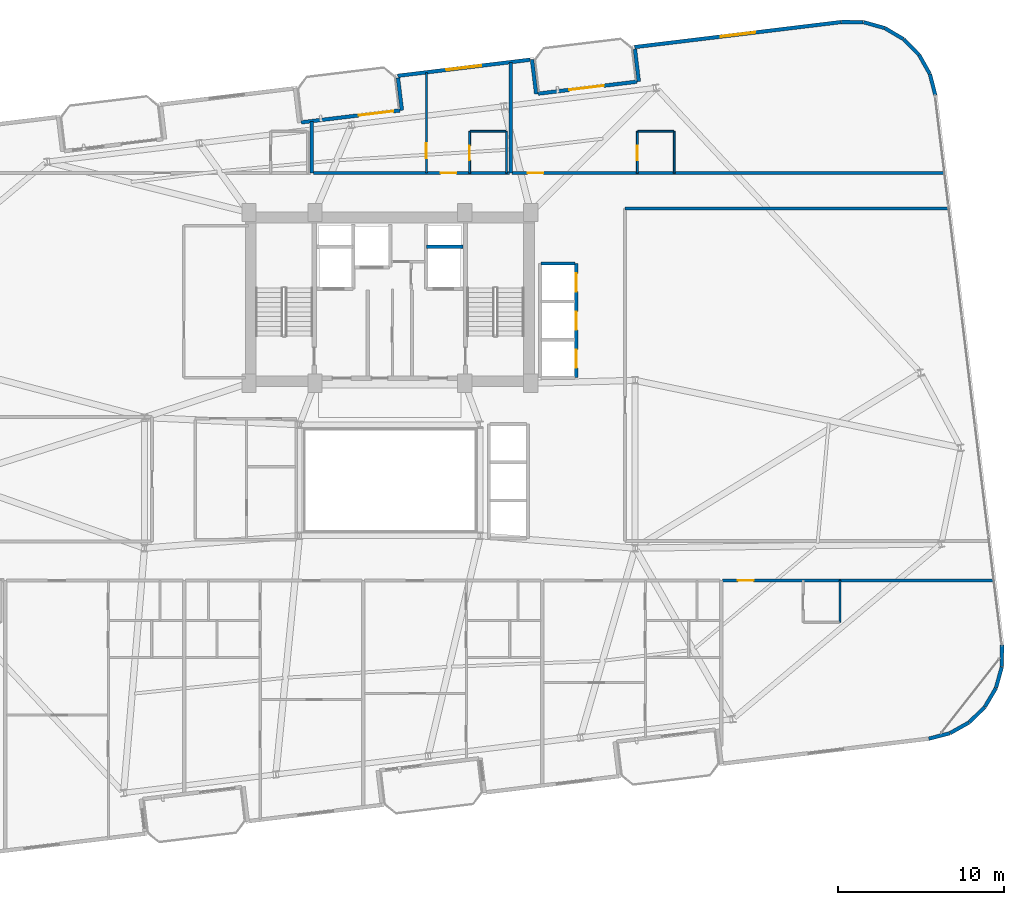
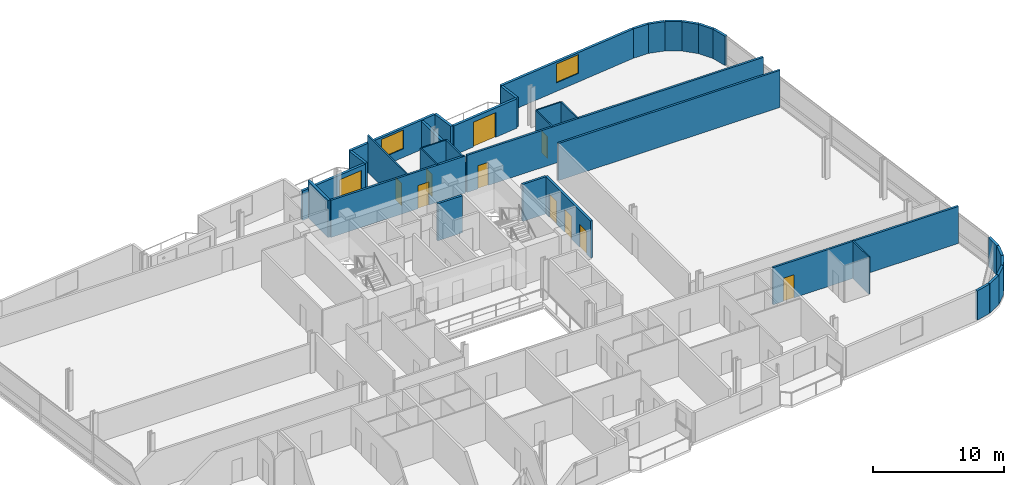
# One storey, part 19 of 24: 36 walls, 11 doors, 2 windows, 13 openings.
"""IFC4 building model written with IfcOpenShell, lengths in metres."""

from ifc_helpers import new_model, si_unit, direction, frame, frame_2d, origin, place, context, subcontext, project, spatial, rectangle, extrude, material, layer, layer_set, type_object, element, fill, save


model = new_model("IFC4")

# Units and contexts
model_context = context("Model", 3, precision=1e-05, world=origin(), true_north=direction((0.0, 1.0)))
body_context = subcontext(model_context, "Body", "Model", "MODEL_VIEW")
ifc_project = project(units=[si_unit("LENGTHUNIT", "METRE"), si_unit("AREAUNIT", "SQUARE_METRE"), si_unit("VOLUMEUNIT", "CUBIC_METRE"), si_unit("PLANEANGLEUNIT", "RADIAN"), si_unit("MASSUNIT", "GRAM", prefix="KILO")], contexts=[model_context])

# Site, building, storey
site_placement = place(None, origin())
site = spatial("IfcSite", under=ifc_project, at=site_placement, CompositionType="ELEMENT")
building_placement = place(site_placement, origin())
building = spatial("IfcBuilding", under=site, at=building_placement, Name="Varnelok Gate Tower", CompositionType="ELEMENT")
storey_placement = place(building_placement, frame((0.0, 0.0, 167.199951171875)))
storey = spatial("IfcBuildingStorey", under=building, at=storey_placement, Name="L42", CompositionType="ELEMENT", Elevation=167.199951171875)

# Wall, opening, door
ifc_material_1 = material(Name="Concrete C45/55", Category="concrete")
ifc_layer_1 = layer(ifc_material_1, 0.219970703125)
ifc_layer_set_1 = layer_set([ifc_layer_1], Name="Concrete C45/55")
wall_type_1 = type_object("IfcWallType", Name="EW-BALC-220", PredefinedType="SOLIDWALL", material=ifc_layer_set_1)
wall_1_placement = place(storey_placement, frame((33.852294921875, 44.48583984375, 0.0), z_axis=(0.0, 0.0, 1.0), x_axis=(0.992729951822, 0.120362962556, 0.0)))
wall_1 = element("IfcWall", 1, at=wall_1_placement, inside=storey, type_object=wall_type_1, Name="L42 North Terrace Envelope Wall 5", PredefinedType="SOLIDWALL", context=body_context, shape_type="SweptSolid", body=[
    extrude(rectangle(XDim=6.0, YDim=0.219970703125, at=frame_2d((3.0, 0.0))), origin(), (0.0, 0.0, 1.0), 2.72998046875),
])
opening_1_placement = place(wall_1_placement, frame((3.5, 0.0, 0.0)))
opening_1 = element("IfcOpeningElement", 2, at=opening_1_placement, cuts=wall_1, Name="Opening BD-2", PredefinedType="OPENING", context=body_context, shape_type="SweptSolid", body=[
    extrude(rectangle(XDim=2.10009765625, YDim=2.300048828125, at=frame_2d((1.050048828125, 1.14990234375))), frame((0.0, 0.119873046875, 0.0), z_axis=(0.0, -1.0, 0.0), x_axis=(1.0, 0.0, 0.0)), (0.0, 0.0, 1.0), 0.239990234375),
])
ifc_material_2 = material(Name="Anodized Aluminum Alloy 6063-T6", Category="aluminium")
door_type_1 = type_object("IfcDoorType", Name="DR-EXT-SLID2100", OperationType="SLIDING_TO_LEFT", PredefinedType="DOOR", material=ifc_material_2)
door_1_placement = place(opening_1_placement, origin())
door_1 = element("IfcDoor", 3, at=door_1_placement, inside=storey, type_object=door_type_1, Name="L42 North Balcony Glazed Door 5", OperationType="SLIDING_TO_LEFT", OverallHeight=2.300048828125, OverallWidth=2.10009765625, PredefinedType="DOOR", context=body_context, shape_type="SweptSolid", body=[
    extrude(rectangle(XDim=2.10009765625, YDim=2.300048828125, at=frame_2d((1.050048828125, 1.14990234375))), frame((0.0, 0.02490234375, 0.0), z_axis=(0.0, -1.0, 0.0), x_axis=(1.0, 0.0, 0.0)), (0.0, 0.0, 1.0), 0.050048828125),
])
fill(opening_1, door_1)

wall_2_placement = place(storey_placement, frame((48.147705078125, 46.21875, 0.0), z_axis=(0.0, 0.0, 1.0), x_axis=(0.992729951822, 0.120362962556, 0.0)))
wall_2 = element("IfcWall", 4, at=wall_2_placement, inside=storey, type_object=wall_type_1, Name="L42 North Terrace Envelope Wall 6", PredefinedType="SOLIDWALL", context=body_context, shape_type="SweptSolid", body=[
    extrude(rectangle(XDim=6.0, YDim=0.219970703125, at=frame_2d((3.0, 0.0))), origin(), (0.0, 0.0, 1.0), 2.72998046875),
])
opening_2_placement = place(wall_2_placement, frame((1.887939453125, 0.0, 0.0)))
opening_2 = element("IfcOpeningElement", 5, at=opening_2_placement, cuts=wall_2, Name="Opening BD-2", PredefinedType="OPENING", context=body_context, shape_type="SweptSolid", body=[
    extrude(rectangle(XDim=2.10009765625, YDim=2.300048828125, at=frame_2d((1.050048828125, 1.14990234375))), frame((0.0, 0.119873046875, 0.0), z_axis=(0.0, -1.0, 0.0), x_axis=(1.0, 0.0, 0.0)), (0.0, 0.0, 1.0), 0.239990234375),
])
door_2_placement = place(opening_2_placement, origin())
door_2 = element("IfcDoor", 6, at=door_2_placement, inside=storey, type_object=door_type_1, Name="L42 North Balcony Glazed Door 6", OperationType="SLIDING_TO_LEFT", OverallHeight=2.300048828125, OverallWidth=2.10009765625, PredefinedType="DOOR", context=body_context, shape_type="SweptSolid", body=[
    extrude(rectangle(XDim=2.10009765625, YDim=2.300048828125, at=frame_2d((1.050048828125, 1.14990234375))), frame((0.0, 0.02490234375, 0.0), z_axis=(0.0, -1.0, 0.0), x_axis=(1.0, 0.0, 0.0)), (0.0, 0.0, 1.0), 0.050048828125),
])
fill(opening_2, door_2)

# Walls
wall_3_placement = place(storey_placement, frame((71.71875, 7.305908203125, 0.0), z_axis=(0.0, 0.0, 1.0), x_axis=(0.968541764193, 0.248851061909, 0.0)))
element("IfcWall", 7, at=wall_3_placement, inside=storey, type_object=wall_type_1, Name="L42 Perimeter Facade Closure Wall 17", PredefinedType="SOLIDWALL", context=body_context, shape_type="SweptSolid", body=[
    extrude(rectangle(XDim=1.308837890625, YDim=0.219970703125, at=frame_2d((0.654296875, 0.0))), origin(), (0.0, 0.0, 1.0), 2.72998046875),
])
for number, where, z_axis, x_axis, name in (
    (8, (73.00830078125, 7.64404296875, 0.0), (0.0, 0.0, 1.0), (0.87105877335, 0.491178799797, 0.0), "L42 Perimeter Facade Closure Wall 18"),
    (9, (74.1591796875, 8.30029296875, 0.0), (0.0, 0.0, 1.0), (0.714295394827, 0.699844331926, 0.0), "L42 Perimeter Facade Closure Wall 19"),
    (10, (75.101318359375, 9.232177734375, 0.0), (0.0, 0.0, 1.0), (0.508798863936, 0.860885425627, 0.0), "L42 Perimeter Facade Closure Wall 20"),
    (11, (75.77001953125, 10.376220703125, 0.0), (0.0, 0.0, 1.0), (0.26859243053, 0.963253915778, 0.0), "L42 Perimeter Facade Closure Wall 21"),
):
    element("IfcWall", number, at=place(storey_placement, frame(where, z_axis=z_axis, x_axis=x_axis)), inside=storey, type_object=wall_type_1, Name=name, PredefinedType="SOLIDWALL", context=body_context, shape_type="SweptSolid", body=[
        extrude(rectangle(XDim=1.30078125, YDim=0.219970703125, at=frame_2d((0.650390625, 0.0))), origin(), (0.0, 0.0, 1.0), 2.72998046875),
    ])
wall_4_placement = place(storey_placement, frame((76.11962890625, 11.654052734375, 0.0), z_axis=(0.0, 0.0, 1.0), x_axis=(0.01032033607, 0.999946743914, 0.0)))
element("IfcWall", 12, at=wall_4_placement, inside=storey, type_object=wall_type_1, Name="L42 Perimeter Facade Closure Wall 22", PredefinedType="SOLIDWALL", context=body_context, shape_type="SweptSolid", body=[
    extrude(rectangle(XDim=1.301025390625, YDim=0.219970703125, at=frame_2d((0.650390625, 0.0))), origin(), (0.0, 0.0, 1.0), 2.72998046875),
])
wall_5_placement = place(storey_placement, frame((72.113525390625, 46.1123046875, 0.0), z_axis=(0.0, 0.0, 1.0), x_axis=(-0.248942347653, 0.968518305219, 0.0)))
element("IfcWall", 13, at=wall_5_placement, inside=storey, type_object=wall_type_1, Name="L42 Perimeter Facade Closure Wall 23", PredefinedType="SOLIDWALL", context=body_context, shape_type="SweptSolid", body=[
    extrude(rectangle(XDim=1.325927734375, YDim=0.219970703125, at=frame_2d((0.6630859375, 0.0))), origin(), (0.0, 0.0, 1.0), 2.72998046875),
])
wall_6_placement = place(storey_placement, frame((71.771240234375, 47.418212890625, 0.0), z_axis=(0.0, 0.0, 1.0), x_axis=(-0.491098509465, 0.871104043155, 0.0)))
element("IfcWall", 14, at=wall_6_placement, inside=storey, type_object=wall_type_1, Name="L42 Perimeter Facade Closure Wall 24", PredefinedType="SOLIDWALL", context=body_context, shape_type="SweptSolid", body=[
    extrude(rectangle(XDim=1.301025390625, YDim=0.219970703125, at=frame_2d((0.650390625, 0.0))), origin(), (0.0, 0.0, 1.0), 2.72998046875),
])
wall_7_placement = place(storey_placement, frame((71.114990234375, 48.5693359375, 0.0), z_axis=(0.0, 0.0, 1.0), x_axis=(-0.699844331926, 0.714295394827, 0.0)))
element("IfcWall", 15, at=wall_7_placement, inside=storey, type_object=wall_type_1, Name="L42 Perimeter Facade Closure Wall 25", PredefinedType="SOLIDWALL", context=body_context, shape_type="SweptSolid", body=[
    extrude(rectangle(XDim=1.30078125, YDim=0.219970703125, at=frame_2d((0.650390625, 0.0))), origin(), (0.0, 0.0, 1.0), 2.72998046875),
])
wall_8_placement = place(storey_placement, frame((70.18310546875, 49.51123046875, 0.0), z_axis=(0.0, 0.0, 1.0), x_axis=(-0.860933999601, 0.508716668029, 0.0)))
element("IfcWall", 16, at=wall_8_placement, inside=storey, type_object=wall_type_1, Name="L42 Perimeter Facade Closure Wall 26", PredefinedType="SOLIDWALL", context=body_context, shape_type="SweptSolid", body=[
    extrude(rectangle(XDim=1.301025390625, YDim=0.219970703125, at=frame_2d((0.650390625, 0.0))), origin(), (0.0, 0.0, 1.0), 2.72998046875),
])
wall_9_placement = place(storey_placement, frame((69.0390625, 50.179931640625, 0.0), z_axis=(0.0, 0.0, 1.0), x_axis=(-0.963205341366, 0.26876657226, 0.0)))
element("IfcWall", 17, at=wall_9_placement, inside=storey, type_object=wall_type_1, Name="L42 Perimeter Facade Closure Wall 27", PredefinedType="SOLIDWALL", context=body_context, shape_type="SweptSolid", body=[
    extrude(rectangle(XDim=1.30078125, YDim=0.219970703125, at=frame_2d((0.650390625, 0.0))), origin(), (0.0, 0.0, 1.0), 2.72998046875),
])
wall_10_placement = place(storey_placement, frame((67.760986328125, 50.52978515625, 0.0), z_axis=(0.0, 0.0, 1.0), x_axis=(-0.999947358106, 0.010260653861, 0.0)))
element("IfcWall", 18, at=wall_10_placement, inside=storey, type_object=wall_type_1, Name="L42 Perimeter Facade Closure Wall 28", PredefinedType="SOLIDWALL", context=body_context, shape_type="SweptSolid", body=[
    extrude(rectangle(XDim=1.30859375, YDim=0.219970703125, at=frame_2d((0.654296875, 0.0))), origin(), (0.0, 0.0, 1.0), 2.72998046875),
])

# Wall, opening, window
wall_11_placement = place(storey_placement, frame((66.427490234375, 50.5400390625, 0.0), z_axis=(0.0, 0.0, 1.0), x_axis=(-0.992731739233, -0.120348219431, 0.0)))
wall_11 = element("IfcWall", 19, at=wall_11_placement, inside=storey, type_object=wall_type_1, Name="L42 Perimeter Facade Closure Wall 29", PredefinedType="SOLIDWALL", context=body_context, shape_type="SweptSolid", body=[
    extrude(rectangle(XDim=12.547119140625, YDim=0.219970703125, at=frame_2d((6.2734375, 0.0))), origin(), (0.0, 0.0, 1.0), 2.72998046875),
])
opening_3_placement = place(wall_11_placement, frame((5.2236328125, 0.0, 0.800048828125)))
opening_3 = element("IfcOpeningElement", 20, at=opening_3_placement, cuts=wall_11, Name="Opening WN4", PredefinedType="OPENING", context=body_context, shape_type="SweptSolid", body=[
    extrude(rectangle(XDim=2.10009765625, YDim=1.75, at=frame_2d((1.050048828125, 0.875))), frame((0.0, 0.119873046875, 0.0), z_axis=(0.0, -1.0, 0.0), x_axis=(1.0, 0.0, 0.0)), (0.0, 0.0, 1.0), 0.239990234375),
])
ifc_material_3 = material(Name="Low-E Laminated Double Glazing IGU", Category="glass")
window_type = type_object("IfcWindowType", Name="WN-SUI-2100", PartitioningType="SINGLE_PANEL", PredefinedType="WINDOW", material=ifc_material_3)
window_1_placement = place(opening_3_placement, origin())
window_1 = element("IfcWindow", 21, at=window_1_placement, inside=storey, type_object=window_type, Name="L42 Perimeter Vision Window 29", OverallHeight=1.75, OverallWidth=2.10009765625, PartitioningType="SINGLE_PANEL", PredefinedType="WINDOW", context=body_context, shape_type="SweptSolid", body=[
    extrude(rectangle(XDim=2.10009765625, YDim=1.75, at=frame_2d((1.050048828125, 0.875))), frame((0.0, 0.030029296875, 0.0), z_axis=(0.0, -1.0, 0.0), x_axis=(1.0, 0.0, 0.0)), (0.0, 0.0, 1.0), 0.06005859375),
])
fill(opening_3, window_1)

# Walls
wall_12_placement = place(storey_placement, frame((53.986572265625, 48.906005859375, 0.0), z_axis=(0.0, 0.0, 1.0), x_axis=(0.120397815541, -0.992725725472, 0.0)))
element("IfcWall", 22, at=wall_12_placement, inside=storey, type_object=wall_type_1, Name="L42 Perimeter Facade Closure Wall 30", PredefinedType="SOLIDWALL", context=body_context, shape_type="SweptSolid", body=[
    extrude(rectangle(XDim=1.97509765625, YDim=0.219970703125, at=frame_2d((0.987548828125, 0.0))), origin(), (0.0, 0.0, 1.0), 2.72998046875),
])
wall_13_placement = place(storey_placement, frame((48.029541015625, 46.1943359375, 0.0), z_axis=(0.0, 0.0, 1.0), x_axis=(-0.120314009587, 0.992735885871, 0.0)))
element("IfcWall", 23, at=wall_13_placement, inside=storey, type_object=wall_type_1, Name="L42 Perimeter Facade Closure Wall 31", PredefinedType="SOLIDWALL", context=body_context, shape_type="SweptSolid", body=[
    extrude(rectangle(XDim=2.10009765625, YDim=0.219970703125, at=frame_2d((1.050048828125, 0.0))), origin(), (0.0, 0.0, 1.0), 2.72998046875),
])

# Wall, opening, window
wall_14_placement = place(storey_placement, frame((47.65283203125, 48.26416015625, 0.0), z_axis=(0.0, 0.0, 1.0), x_axis=(-0.992731032022, -0.120354052946, 0.0)))
wall_14 = element("IfcWall", 24, at=wall_14_placement, inside=storey, type_object=wall_type_1, Name="L42 Perimeter Facade Closure Wall 32", PredefinedType="SOLIDWALL", context=body_context, shape_type="SweptSolid", body=[
    extrude(rectangle(XDim=8.034912109375, YDim=0.219970703125, at=frame_2d((4.017578125, 0.0))), origin(), (0.0, 0.0, 1.0), 2.72998046875),
])
opening_4_placement = place(wall_14_placement, frame((2.967529296875, 0.0, 0.800048828125)))
opening_4 = element("IfcOpeningElement", 25, at=opening_4_placement, cuts=wall_14, Name="Opening WN4", PredefinedType="OPENING", context=body_context, shape_type="SweptSolid", body=[
    extrude(rectangle(XDim=2.10009765625, YDim=1.75, at=frame_2d((1.050048828125, 0.875))), frame((0.0, 0.119873046875, 0.0), z_axis=(0.0, -1.0, 0.0), x_axis=(1.0, 0.0, 0.0)), (0.0, 0.0, 1.0), 0.239990234375),
])
window_2_placement = place(opening_4_placement, origin())
window_2 = element("IfcWindow", 26, at=window_2_placement, inside=storey, type_object=window_type, Name="L42 Perimeter Vision Window 32", OverallHeight=1.75, OverallWidth=2.10009765625, PartitioningType="SINGLE_PANEL", PredefinedType="WINDOW", context=body_context, shape_type="SweptSolid", body=[
    extrude(rectangle(XDim=2.10009765625, YDim=1.75, at=frame_2d((1.050048828125, 0.875))), frame((0.0, 0.030029296875, 0.0), z_axis=(0.0, -1.0, 0.0), x_axis=(1.0, 0.0, 0.0)), (0.0, 0.0, 1.0), 0.06005859375),
])
fill(opening_4, window_2)

# Wall
wall_15_placement = place(storey_placement, frame((39.691162109375, 47.173095703125, 0.0), z_axis=(0.0, 0.0, 1.0), x_axis=(0.120397815541, -0.992725725472, 0.0)))
element("IfcWall", 27, at=wall_15_placement, inside=storey, type_object=wall_type_1, Name="L42 Perimeter Facade Closure Wall 33", PredefinedType="SOLIDWALL", context=body_context, shape_type="SweptSolid", body=[
    extrude(rectangle(XDim=1.97509765625, YDim=0.219970703125, at=frame_2d((0.987548828125, 0.0))), origin(), (0.0, 0.0, 1.0), 2.72998046875),
])

# Wall, opening, door
ifc_material_4 = material(Name="Gypsum Plasterboard Acoustic Partition", Category="gypsum")
ifc_layer_2 = layer(ifc_material_4, 0.179931640625)
ifc_layer_set_2 = layer_set([ifc_layer_2], Name="Gypsum Plasterboard Acoustic Partition")
wall_type_2 = type_object("IfcWallType", Name="PW-CORR-180", PredefinedType="PARTITIONING", material=ifc_layer_set_2)
wall_16_placement = place(storey_placement, frame((59.280029296875, 16.85009765625, 0.0), z_axis=(0.0, 0.0, 1.0), x_axis=(1.0, 0.0, 0.0)))
wall_16 = element("IfcWall", 28, at=wall_16_placement, inside=storey, type_object=wall_type_2, Name="Interior Partition", PredefinedType="PARTITIONING", context=body_context, shape_type="SweptSolid", body=[
    extrude(rectangle(XDim=16.32177734375, YDim=0.179931640625, at=frame_2d((8.160888671875, 0.0))), origin(), (0.0, 0.0, 1.0), 3.449951171875),
])
opening_5_placement = place(wall_16_placement, frame((0.916015625, 0.0, 0.0)))
opening_5 = element("IfcOpeningElement", 29, at=opening_5_placement, cuts=wall_16, Name="Opening D-HT", PredefinedType="OPENING", context=body_context, shape_type="SweptSolid", body=[
    extrude(rectangle(XDim=0.949951171875, YDim=2.14990234375, at=frame_2d((0.47509765625, 1.074951171875))), frame((0.0, 0.099853515625, 0.0), z_axis=(0.0, -1.0, 0.0), x_axis=(1.0, 0.0, 0.0)), (0.0, 0.0, 1.0), 0.199951171875),
])
ifc_material_5 = material(Name="Engineered Hardwood Timber", Category="wood")
door_type_2 = type_object("IfcDoorType", Name="DR-HTL-950", OperationType="NOTDEFINED", PredefinedType="DOOR", material=ifc_material_5)
door_3_placement = place(opening_5_placement, origin())
door_3 = element("IfcDoor", 30, at=door_3_placement, inside=storey, type_object=door_type_2, Name="L42 Guest Room 06 Entrance Door", OperationType="SINGLE_SWING_LEFT", OverallHeight=2.14990234375, OverallWidth=0.949951171875, PredefinedType="DOOR", context=body_context, shape_type="SweptSolid", body=[
    extrude(rectangle(XDim=0.949951171875, YDim=2.14990234375, at=frame_2d((0.47509765625, 1.074951171875))), frame((0.0, 0.02490234375, 0.0), z_axis=(0.0, -1.0, 0.0), x_axis=(1.0, 0.0, 0.0)), (0.0, 0.0, 1.0), 0.050048828125),
])
fill(opening_5, door_3)

wall_17_placement = place(storey_placement, frame((34.580078125, 41.429931640625, 0.0), z_axis=(0.0, 0.0, 1.0), x_axis=(1.0, 0.0, 0.0)))
wall_17 = element("IfcWall", 31, at=wall_17_placement, inside=storey, type_object=wall_type_2, Name="Interior Partition", PredefinedType="PARTITIONING", context=body_context, shape_type="SweptSolid", body=[
    extrude(rectangle(XDim=11.83984375, YDim=0.179931640625, at=frame_2d((5.919921875, 0.0))), origin(), (0.0, 0.0, 1.0), 3.449951171875),
])
opening_6_placement = place(wall_17_placement, frame((7.679931640625, 0.0, 0.0)))
opening_6 = element("IfcOpeningElement", 32, at=opening_6_placement, cuts=wall_17, Name="Opening D-HT", PredefinedType="OPENING", context=body_context, shape_type="SweptSolid", body=[
    extrude(rectangle(XDim=0.949951171875, YDim=2.14990234375, at=frame_2d((0.47509765625, 1.074951171875))), frame((0.0, 0.099853515625, 0.0), z_axis=(0.0, -1.0, 0.0), x_axis=(1.0, 0.0, 0.0)), (0.0, 0.0, 1.0), 0.199951171875),
])
door_4_placement = place(opening_6_placement, origin())
door_4 = element("IfcDoor", 33, at=door_4_placement, inside=storey, type_object=door_type_2, Name="L42 Guest Room 08 Entrance Door", OperationType="SINGLE_SWING_LEFT", OverallHeight=2.14990234375, OverallWidth=0.949951171875, PredefinedType="DOOR", context=body_context, shape_type="SweptSolid", body=[
    extrude(rectangle(XDim=0.949951171875, YDim=2.14990234375, at=frame_2d((0.47509765625, 1.074951171875))), frame((0.0, 0.02490234375, 0.0), z_axis=(0.0, -1.0, 0.0), x_axis=(1.0, 0.0, 0.0)), (0.0, 0.0, 1.0), 0.050048828125),
])
fill(opening_6, door_4)

wall_18_placement = place(storey_placement, frame((46.580078125, 41.429931640625, 0.0), z_axis=(0.0, 0.0, 1.0), x_axis=(1.0, 0.0, 0.0)))
wall_18 = element("IfcWall", 34, at=wall_18_placement, inside=storey, type_object=wall_type_2, Name="Interior Partition", PredefinedType="PARTITIONING", context=body_context, shape_type="SweptSolid", body=[
    extrude(rectangle(XDim=26.0419921875, YDim=0.179931640625, at=frame_2d((13.02099609375, 0.0))), origin(), (0.0, 0.0, 1.0), 3.449951171875),
])
opening_7_placement = place(wall_18_placement, frame((0.92626953125, 0.0, 0.0)))
opening_7 = element("IfcOpeningElement", 35, at=opening_7_placement, cuts=wall_18, Name="Opening D-HT", PredefinedType="OPENING", context=body_context, shape_type="SweptSolid", body=[
    extrude(rectangle(XDim=0.949951171875, YDim=2.14990234375, at=frame_2d((0.47509765625, 1.074951171875))), frame((0.0, 0.099853515625, 0.0), z_axis=(0.0, -1.0, 0.0), x_axis=(1.0, 0.0, 0.0)), (0.0, 0.0, 1.0), 0.199951171875),
])
door_5_placement = place(opening_7_placement, origin())
door_5 = element("IfcDoor", 36, at=door_5_placement, inside=storey, type_object=door_type_2, Name="L42 Guest Room 09 Entrance Door", OperationType="SINGLE_SWING_RIGHT", OverallHeight=2.14990234375, OverallWidth=0.949951171875, PredefinedType="DOOR", context=body_context, shape_type="SweptSolid", body=[
    extrude(rectangle(XDim=0.949951171875, YDim=2.14990234375, at=frame_2d((0.47509765625, 1.074951171875))), frame((0.0, 0.02490234375, 0.0), z_axis=(0.0, -1.0, 0.0), x_axis=(1.0, 0.0, 0.0)), (0.0, 0.0, 1.0), 0.050048828125),
])
fill(opening_7, door_5)

# Walls
wall_19_placement = place(storey_placement, frame((53.389892578125, 39.300048828125, 0.0), z_axis=(0.0, 0.0, 1.0), x_axis=(1.0, 0.0, 0.0)))
element("IfcWall", 37, at=wall_19_placement, inside=storey, type_object=wall_type_2, Name="Interior Partition", PredefinedType="PARTITIONING", context=body_context, shape_type="SweptSolid", body=[
    extrude(rectangle(XDim=19.490234375, YDim=0.179931640625, at=frame_2d((9.7451171875, 0.0))), origin(), (0.0, 0.0, 1.0), 3.449951171875),
])
ifc_layer_3 = layer(ifc_material_4, 0.114990234375)
ifc_layer_set_3 = layer_set([ifc_layer_3], Name="Gypsum Plasterboard Acoustic Partition")
wall_type_3 = type_object("IfcWallType", Name="PW-ENS-125", PredefinedType="PARTITIONING", material=ifc_layer_set_3)
wall_20_placement = place(storey_placement, frame((66.360107421875, 14.330078125, 0.0), z_axis=(0.0, 0.0, 1.0), x_axis=(0.0, 1.0, 0.0)))
element("IfcWall", 38, at=wall_20_placement, inside=storey, type_object=wall_type_3, Name="Interior Partition", PredefinedType="PARTITIONING", context=body_context, shape_type="SweptSolid", body=[
    extrude(rectangle(XDim=2.52001953125, YDim=0.114990234375, at=frame_2d((1.260009765625, 0.0))), origin(), (0.0, 0.0, 1.0), 3.449951171875),
])
wall_21_placement = place(storey_placement, frame((44.050048828125, 43.949951171875, 0.0), z_axis=(0.0, 0.0, 1.0), x_axis=(1.0, 0.0, 0.0)))
element("IfcWall", 39, at=wall_21_placement, inside=storey, type_object=wall_type_3, Name="Interior Partition", PredefinedType="PARTITIONING", context=body_context, shape_type="SweptSolid", body=[
    extrude(rectangle(XDim=2.14990234375, YDim=0.114990234375, at=frame_2d((1.074951171875, 0.0))), origin(), (0.0, 0.0, 1.0), 3.449951171875),
])

# Wall, opening, door
wall_22_placement = place(storey_placement, frame((44.010009765625, 41.429931640625, 0.0), z_axis=(0.0, 0.0, 1.0), x_axis=(0.0, 1.0, 0.0)))
wall_22 = element("IfcWall", 40, at=wall_22_placement, inside=storey, type_object=wall_type_3, Name="Interior Partition", PredefinedType="PARTITIONING", context=body_context, shape_type="SweptSolid", body=[
    extrude(rectangle(XDim=2.52001953125, YDim=0.114990234375, at=frame_2d((1.260009765625, 0.0))), origin(), (0.0, 0.0, 1.0), 3.449951171875),
])
opening_8_placement = place(wall_22_placement, frame((0.760009765625, 0.0, 0.0)))
opening_8 = element("IfcOpeningElement", 41, at=opening_8_placement, cuts=wall_22, Name="Opening D-WC", PredefinedType="OPENING", context=body_context, shape_type="SweptSolid", body=[
    extrude(rectangle(XDim=0.89990234375, YDim=2.050048828125, at=frame_2d((0.449951171875, 1.02490234375))), frame((0.0, 0.0673828125, 0.0), z_axis=(0.0, -1.0, 0.0), x_axis=(1.0, 0.0, 0.0)), (0.0, 0.0, 1.0), 0.135009765625),
])
door_type_3 = type_object("IfcDoorType", Name="DR-BATH-900", OperationType="NOTDEFINED", PredefinedType="DOOR", material=ifc_material_5)
door_6_placement = place(opening_8_placement, origin())
door_6 = element("IfcDoor", 42, at=door_6_placement, inside=storey, type_object=door_type_3, Name="L42 North En-Suite 08 Door", OperationType="SINGLE_SWING_LEFT", OverallHeight=2.050048828125, OverallWidth=0.89990234375, PredefinedType="DOOR", context=body_context, shape_type="SweptSolid", body=[
    extrude(rectangle(XDim=0.89990234375, YDim=2.050048828125, at=frame_2d((0.449951171875, 1.02490234375))), frame((0.0, 0.02490234375, 0.0), z_axis=(0.0, -1.0, 0.0), x_axis=(1.0, 0.0, 0.0)), (0.0, 0.0, 1.0), 0.050048828125),
])
fill(opening_8, door_6)

# Walls
wall_23_placement = place(storey_placement, frame((46.239990234375, 41.429931640625, 0.0), z_axis=(0.0, 0.0, 1.0), x_axis=(0.0, 1.0, 0.0)))
element("IfcWall", 43, at=wall_23_placement, inside=storey, type_object=wall_type_3, Name="Interior Partition", PredefinedType="PARTITIONING", context=body_context, shape_type="SweptSolid", body=[
    extrude(rectangle(XDim=2.52001953125, YDim=0.114990234375, at=frame_2d((1.260009765625, 0.0))), origin(), (0.0, 0.0, 1.0), 3.449951171875),
])
wall_24_placement = place(storey_placement, frame((54.169921875, 43.949951171875, 0.0), z_axis=(0.0, 0.0, 1.0), x_axis=(1.0, 0.0, 0.0)))
element("IfcWall", 44, at=wall_24_placement, inside=storey, type_object=wall_type_3, Name="Interior Partition", PredefinedType="PARTITIONING", context=body_context, shape_type="SweptSolid", body=[
    extrude(rectangle(XDim=2.150146484375, YDim=0.114990234375, at=frame_2d((1.0751953125, 0.0))), origin(), (0.0, 0.0, 1.0), 3.449951171875),
])

# Wall, opening, door
wall_25_placement = place(storey_placement, frame((54.1298828125, 41.429931640625, 0.0), z_axis=(0.0, 0.0, 1.0), x_axis=(0.0, 1.0, 0.0)))
wall_25 = element("IfcWall", 45, at=wall_25_placement, inside=storey, type_object=wall_type_3, Name="Interior Partition", PredefinedType="PARTITIONING", context=body_context, shape_type="SweptSolid", body=[
    extrude(rectangle(XDim=2.52001953125, YDim=0.114990234375, at=frame_2d((1.260009765625, 0.0))), origin(), (0.0, 0.0, 1.0), 3.449951171875),
])
opening_9_placement = place(wall_25_placement, frame((0.760009765625, 0.0, 0.0)))
opening_9 = element("IfcOpeningElement", 46, at=opening_9_placement, cuts=wall_25, Name="Opening D-WC", PredefinedType="OPENING", context=body_context, shape_type="SweptSolid", body=[
    extrude(rectangle(XDim=0.89990234375, YDim=2.050048828125, at=frame_2d((0.449951171875, 1.02490234375))), frame((0.0, 0.0673828125, 0.0), z_axis=(0.0, -1.0, 0.0), x_axis=(1.0, 0.0, 0.0)), (0.0, 0.0, 1.0), 0.135009765625),
])
door_7_placement = place(opening_9_placement, origin())
door_7 = element("IfcDoor", 47, at=door_7_placement, inside=storey, type_object=door_type_3, Name="L42 North En-Suite 09 Door", OperationType="SINGLE_SWING_LEFT", OverallHeight=2.050048828125, OverallWidth=0.89990234375, PredefinedType="DOOR", context=body_context, shape_type="SweptSolid", body=[
    extrude(rectangle(XDim=0.89990234375, YDim=2.050048828125, at=frame_2d((0.449951171875, 1.02490234375))), frame((0.0, 0.02490234375, 0.0), z_axis=(0.0, -1.0, 0.0), x_axis=(1.0, 0.0, 0.0)), (0.0, 0.0, 1.0), 0.050048828125),
])
fill(opening_9, door_7)

# Wall
wall_26_placement = place(storey_placement, frame((56.360107421875, 41.429931640625, 0.0), z_axis=(0.0, 0.0, 1.0), x_axis=(0.0, 1.0, 0.0)))
element("IfcWall", 48, at=wall_26_placement, inside=storey, type_object=wall_type_3, Name="Interior Partition", PredefinedType="PARTITIONING", context=body_context, shape_type="SweptSolid", body=[
    extrude(rectangle(XDim=2.52001953125, YDim=0.114990234375, at=frame_2d((1.260009765625, 0.0))), origin(), (0.0, 0.0, 1.0), 3.449951171875),
])

# Wall, opening, door
ifc_layer_4 = layer(ifc_material_4, 0.125)
ifc_layer_set_4 = layer_set([ifc_layer_4], Name="Gypsum Plasterboard Acoustic Partition")
wall_type_4 = type_object("IfcWallType", Name="PW-PART-125", PredefinedType="PARTITIONING", material=ifc_layer_set_4)
wall_27_placement = place(storey_placement, frame((41.39990234375, 41.429931640625, 0.0), z_axis=(0.0, 0.0, 1.0), x_axis=(0.0, 1.0, 0.0)))
wall_27 = element("IfcWall", 49, at=wall_27_placement, inside=storey, type_object=wall_type_4, Name="Interior Partition", PredefinedType="PARTITIONING", context=body_context, shape_type="SweptSolid", body=[
    extrude(rectangle(XDim=6.05615234375, YDim=0.125, at=frame_2d((3.028076171875, 0.0))), origin(), (0.0, 0.0, 1.0), 3.449951171875),
])
opening_10_placement = place(wall_27_placement, frame((0.8876953125, 0.0, 0.0)))
opening_10 = element("IfcOpeningElement", 50, at=opening_10_placement, cuts=wall_27, Name="Opening D-I3", PredefinedType="OPENING", context=body_context, shape_type="SweptSolid", body=[
    extrude(rectangle(XDim=0.919921875, YDim=2.050048828125, at=frame_2d((0.4599609375, 1.02490234375))), frame((0.0, 0.072509765625, 0.0), z_axis=(0.0, -1.0, 0.0), x_axis=(1.0, 0.0, 0.0)), (0.0, 0.0, 1.0), 0.14501953125),
])
door_type_4 = type_object("IfcDoorType", Name="DR-INT-920", OperationType="NOTDEFINED", PredefinedType="DOOR", material=ifc_material_5)
door_8_placement = place(opening_10_placement, origin())
door_8 = element("IfcDoor", 51, at=door_8_placement, inside=storey, type_object=door_type_4, Name="L42 Suite Bedroom Door 8", OperationType="SINGLE_SWING_LEFT", OverallHeight=2.050048828125, OverallWidth=0.919921875, PredefinedType="DOOR", context=body_context, shape_type="SweptSolid", body=[
    extrude(rectangle(XDim=0.919921875, YDim=2.050048828125, at=frame_2d((0.4599609375, 1.02490234375))), frame((0.0, 0.02490234375, 0.0), z_axis=(0.0, -1.0, 0.0), x_axis=(1.0, 0.0, 0.0)), (0.0, 0.0, 1.0), 0.050048828125),
])
fill(opening_10, door_8)

# Walls
ifc_layer_5 = layer(ifc_material_4, 0.205078125)
ifc_layer_set_5 = layer_set([ifc_layer_5], Name="Gypsum Plasterboard Acoustic Partition")
wall_type_5 = type_object("IfcWallType", Name="PW-PARTY-200", PredefinedType="PARTITIONING", material=ifc_layer_set_5)
wall_28_placement = place(storey_placement, frame((34.5, 41.429931640625, 0.0), z_axis=(0.0, 0.0, 1.0), x_axis=(0.0, 1.0, 0.0)))
element("IfcWall", 52, at=wall_28_placement, inside=storey, type_object=wall_type_5, Name="L42 North Party Wall 1", PredefinedType="PARTITIONING", context=body_context, shape_type="SweptSolid", body=[
    extrude(rectangle(XDim=3.104248046875, YDim=0.205078125, at=frame_2d((1.55224609375, 0.0))), origin(), (0.0, 0.0, 1.0), 3.449951171875),
])
wall_29_placement = place(storey_placement, frame((46.5, 41.429931640625, 0.0), z_axis=(0.0, 0.0, 1.0), x_axis=(0.0, 1.0, 0.0)))
element("IfcWall", 53, at=wall_29_placement, inside=storey, type_object=wall_type_5, Name="L42 North Party Wall 2", PredefinedType="PARTITIONING", context=body_context, shape_type="SweptSolid", body=[
    extrude(rectangle(XDim=6.67431640625, YDim=0.205078125, at=frame_2d((3.337158203125, 0.0))), origin(), (0.0, 0.0, 1.0), 2.662109375),
])
ifc_material_6 = material(Name="Concrete C35/45", Category="concrete")
ifc_layer_6 = layer(ifc_material_6, 0.199951171875)
ifc_layer_set_6 = layer_set([ifc_layer_6], Name="Concrete C35/45")
wall_type_6 = type_object("IfcWallType", Name="PW-SHAFT-200", PredefinedType="PARTITIONING", material=ifc_layer_set_6)
wall_30_placement = place(storey_placement, frame((41.419921875, 36.97998046875, 0.0), z_axis=(0.0, 0.0, 1.0), x_axis=(1.0, 0.0, 0.0)))
element("IfcWall", 54, at=wall_30_placement, inside=storey, type_object=wall_type_6, Name="L42 FF2 Shaft North Wall", PredefinedType="PARTITIONING", context=body_context, shape_type="SweptSolid", body=[
    extrude(rectangle(XDim=2.18017578125, YDim=0.199951171875, at=frame_2d((1.090087890625, 0.0))), origin(), (0.0, 0.0, 1.0), 3.449951171875),
])
wall_31_placement = place(storey_placement, frame((48.320068359375, 35.969970703125, 0.0), z_axis=(0.0, 0.0, 1.0), x_axis=(1.0, 0.0, 0.0)))
element("IfcWall", 55, at=wall_31_placement, inside=storey, type_object=wall_type_6, Name="L42 PM Bank North Wall", PredefinedType="PARTITIONING", context=body_context, shape_type="SweptSolid", body=[
    extrude(rectangle(XDim=2.059814453125, YDim=0.199951171875, at=frame_2d((1.02978515625, 0.0))), origin(), (0.0, 0.0, 1.0), 3.449951171875),
])

# Wall, openings, doors
wall_32_placement = place(storey_placement, frame((50.43994140625, 29.080078125, 0.0), z_axis=(0.0, 0.0, 1.0), x_axis=(0.0, 1.0, 0.0)))
wall_32 = element("IfcWall", 56, at=wall_32_placement, inside=storey, type_object=wall_type_6, Name="L42 PM Bank Front Wall", PredefinedType="PARTITIONING", context=body_context, shape_type="SweptSolid", body=[
    extrude(rectangle(XDim=6.889892578125, YDim=0.199951171875, at=frame_2d((3.44482421875, 0.0))), origin(), (0.0, 0.0, 1.0), 3.449951171875),
])
opening_11_placement = place(wall_32_placement, frame((0.590087890625, 0.0, 0.0)))
opening_11 = element("IfcOpeningElement", 57, at=opening_11_placement, cuts=wall_32, Name="Opening LD-PM1", PredefinedType="OPENING", context=body_context, shape_type="SweptSolid", body=[
    extrude(rectangle(XDim=1.10009765625, YDim=2.14990234375, at=frame_2d((0.550048828125, 1.074951171875))), frame((0.0, 0.10986328125, 0.0), z_axis=(0.0, -1.0, 0.0), x_axis=(1.0, 0.0, 0.0)), (0.0, 0.0, 1.0), 0.219970703125),
])
opening_12_placement = place(wall_32_placement, frame((2.889892578125, 0.0, 0.0)))
opening_12 = element("IfcOpeningElement", 58, at=opening_12_placement, cuts=wall_32, Name="Opening LD-PM2", PredefinedType="OPENING", context=body_context, shape_type="SweptSolid", body=[
    extrude(rectangle(XDim=1.10009765625, YDim=2.14990234375, at=frame_2d((0.550048828125, 1.074951171875))), frame((0.0, 0.10986328125, 0.0), z_axis=(0.0, -1.0, 0.0), x_axis=(1.0, 0.0, 0.0)), (0.0, 0.0, 1.0), 0.219970703125),
])
opening_13_placement = place(wall_32_placement, frame((5.18994140625, 0.0, 0.0)))
opening_13 = element("IfcOpeningElement", 59, at=opening_13_placement, cuts=wall_32, Name="Opening LD-PM3", PredefinedType="OPENING", context=body_context, shape_type="SweptSolid", body=[
    extrude(rectangle(XDim=1.10009765625, YDim=2.14990234375, at=frame_2d((0.550048828125, 1.074951171875))), frame((0.0, 0.10986328125, 0.0), z_axis=(0.0, -1.0, 0.0), x_axis=(1.0, 0.0, 0.0)), (0.0, 0.0, 1.0), 0.219970703125),
])
ifc_material_7 = material(Name="Galvanized Steel Grade S350GD", Category="steel")
door_type_5 = type_object("IfcDoorType", Name="DR-LIFT-PAX1100", OperationType="SLIDING_TO_LEFT", PredefinedType="DOOR", material=ifc_material_7)
door_9_placement = place(opening_11_placement, origin())
door_9 = element("IfcDoor", 60, at=door_9_placement, inside=storey, type_object=door_type_5, Name="L42 Passenger Lift Landing Door LD-PM1", OperationType="SLIDING_TO_LEFT", OverallHeight=2.14990234375, OverallWidth=1.10009765625, PredefinedType="DOOR", context=body_context, shape_type="SweptSolid", body=[
    extrude(rectangle(XDim=1.10009765625, YDim=2.14990234375, at=frame_2d((0.550048828125, 1.074951171875))), frame((0.0, 0.02490234375, 0.0), z_axis=(0.0, -1.0, 0.0), x_axis=(1.0, 0.0, 0.0)), (0.0, 0.0, 1.0), 0.050048828125),
])
fill(opening_11, door_9)
door_10_placement = place(opening_12_placement, origin())
door_10 = element("IfcDoor", 61, at=door_10_placement, inside=storey, type_object=door_type_5, Name="L42 Passenger Lift Landing Door LD-PM2", OperationType="SLIDING_TO_LEFT", OverallHeight=2.14990234375, OverallWidth=1.10009765625, PredefinedType="DOOR", context=body_context, shape_type="SweptSolid", body=[
    extrude(rectangle(XDim=1.10009765625, YDim=2.14990234375, at=frame_2d((0.550048828125, 1.074951171875))), frame((0.0, 0.02490234375, 0.0), z_axis=(0.0, -1.0, 0.0), x_axis=(1.0, 0.0, 0.0)), (0.0, 0.0, 1.0), 0.050048828125),
])
fill(opening_12, door_10)
door_11_placement = place(opening_13_placement, origin())
door_11 = element("IfcDoor", 62, at=door_11_placement, inside=storey, type_object=door_type_5, Name="L42 Passenger Lift Landing Door LD-PM3", OperationType="SLIDING_TO_LEFT", OverallHeight=2.14990234375, OverallWidth=1.10009765625, PredefinedType="DOOR", context=body_context, shape_type="SweptSolid", body=[
    extrude(rectangle(XDim=1.10009765625, YDim=2.14990234375, at=frame_2d((0.550048828125, 1.074951171875))), frame((0.0, 0.02490234375, 0.0), z_axis=(0.0, -1.0, 0.0), x_axis=(1.0, 0.0, 0.0)), (0.0, 0.0, 1.0), 0.050048828125),
])
fill(opening_13, door_11)

save(model, "model.ifc")
